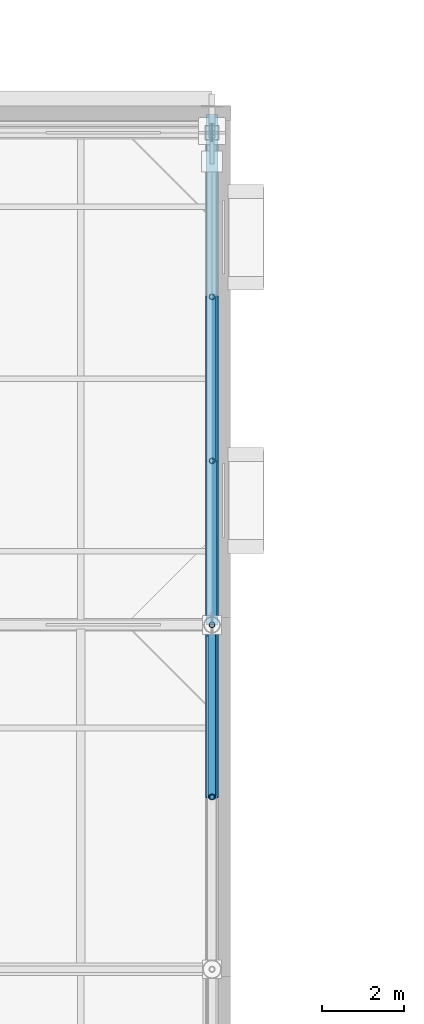
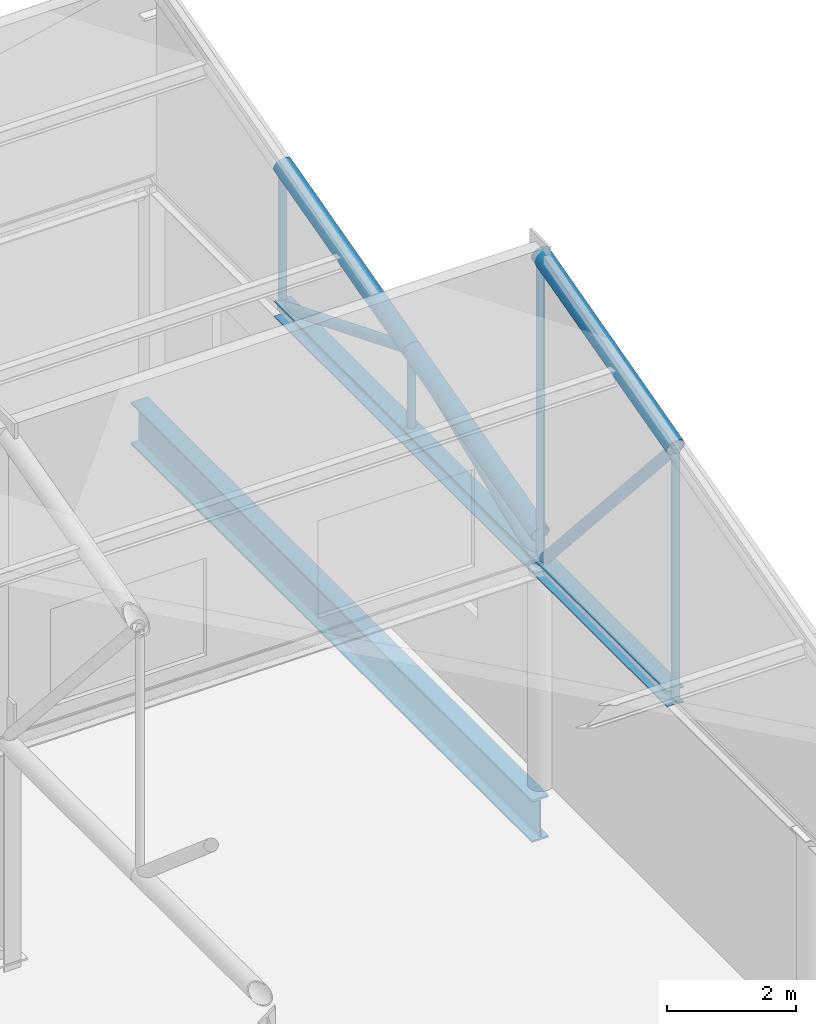
# One storey, part 56 of 89: 13 members, 1 beam.
"""IFC4 building model written with IfcOpenShell, lengths in metres."""

from ifc_helpers import new_model, si_unit, direction, frame, origin, origin_2d, place, context, subcontext, project, spatial, hollow_circle, i_section, extrude, material, material_profile, profile_set, type_object, element, save


model = new_model("IFC4")

# Units and contexts
model_context = context("Model", 3, precision=1e-05, world=origin(), true_north=direction((0.0, 1.0)))
body_context = subcontext(model_context, "Body", "Model", "MODEL_VIEW")
ifc_project = project(units=[si_unit("LENGTHUNIT", "METRE"), si_unit("AREAUNIT", "SQUARE_METRE"), si_unit("VOLUMEUNIT", "CUBIC_METRE"), si_unit("PLANEANGLEUNIT", "RADIAN"), si_unit("MASSUNIT", "GRAM", prefix="KILO")], contexts=[model_context])

# Site, building, storey
site_placement = place(None, origin())
site = spatial("IfcSite", under=ifc_project, at=site_placement, CompositionType="ELEMENT")
building_placement = place(site_placement, origin())
building = spatial("IfcBuilding", under=site, at=building_placement, Name="Zereglee Splitstone Museum", CompositionType="ELEMENT")
storey_placement = place(building_placement, frame((0.0, 0.0, 21.300048828125)))
storey = spatial("IfcBuildingStorey", under=building, at=storey_placement, Name="L04", CompositionType="ELEMENT", Elevation=21.300048828125)

# Members
ifc_material_1 = material(Name="Steel S355J2H", Category="steel")
ifc_material_profile_1 = material_profile(ifc_material_1, hollow_circle(Radius=0.096923828125, WallThickness=0.010009765625, at=origin_2d()), Name="CHS 193.7x10")
ifc_profile_set_1 = profile_set([ifc_material_profile_1], Name="Steel S355J2H")
member_type_1 = type_object("IfcMemberType", Name="TB-04", PredefinedType="BRACE", material=ifc_profile_set_1)
member_1_placement = place(storey_placement, frame((145.199951171875, 38.39990234375, 4.199951171875), z_axis=(0.0, -0.664351853733, 0.747419971932), x_axis=(1.0, 0.0, 0.0)))
element("IfcMember", 1, at=member_1_placement, inside=storey, type_object=member_type_1, Name="Roof Truss ST-08 Diagonal 2.4", PredefinedType="BRACE", context=body_context, shape_type="SweptSolid", body=[
    extrude(hollow_circle(Radius=0.096923828125, WallThickness=0.010009765625, at=origin_2d()), origin(), (0.0, 0.0, 1.0), 6.32177734375),
])
member_2_placement = place(storey_placement, frame((145.199951171875, 46.39990234375, 4.199951171875), z_axis=(0.0, -0.927136001435, 0.374725012299), x_axis=(1.0, 0.0, 0.0)))
element("IfcMember", 2, at=member_2_placement, inside=storey, type_object=member_type_1, Name="Roof Truss ST-08 Diagonal 3.2", PredefinedType="BRACE", context=body_context, shape_type="SweptSolid", body=[
    extrude(hollow_circle(Radius=0.096923828125, WallThickness=0.010009765625, at=origin_2d()), origin(), (0.0, 0.0, 1.0), 4.314453125),
])
ifc_material_profile_2 = material_profile(ifc_material_1, hollow_circle(Radius=0.109619140625, WallThickness=0.010009765625, at=origin_2d()), Name="CHS 219.1x10")
ifc_profile_set_2 = profile_set([ifc_material_profile_2], Name="Steel S355J2H")
member_type_2 = type_object("IfcMemberType", Name="TB-03", PredefinedType="BRACE", material=ifc_profile_set_2)
member_3_placement = place(storey_placement, frame((145.199951171875, 38.39990234375, 4.199951171875), z_axis=(0.0, 0.927136001435, 0.374725012299), x_axis=(-1.0, 0.0, 0.0)))
element("IfcMember", 3, at=member_3_placement, inside=storey, type_object=member_type_2, Name="Roof Truss ST-08 Diagonal 3.1", PredefinedType="BRACE", context=body_context, shape_type="SweptSolid", body=[
    extrude(hollow_circle(Radius=0.109619140625, WallThickness=0.010009765625, at=origin_2d()), origin(), (0.0, 0.0, 1.0), 4.314453125),
])
ifc_material_profile_3 = material_profile(ifc_material_1, hollow_circle(Radius=0.161865234375, WallThickness=0.01611328125, at=origin_2d()), Name="CHS 323.9x16")
ifc_profile_set_3 = profile_set([ifc_material_profile_3], Name="Steel S355J2H")
member_type_3 = type_object("IfcMemberType", Name="TC-05", PredefinedType="CHORD", material=ifc_profile_set_3)
member_4_placement = place(storey_placement, frame((145.199951171875, 34.199951171875, 8.925048828125), z_axis=(0.0, 0.965947299715, 0.258738891884), x_axis=(-1.0, 0.0, 0.0)))
element("IfcMember", 4, at=member_4_placement, inside=storey, type_object=member_type_3, Name="Roof Truss ST-08 Top Chord 2.4", PredefinedType="CHORD", context=body_context, shape_type="SweptSolid", body=[
    extrude(hollow_circle(Radius=0.161865234375, WallThickness=0.01611328125, at=origin_2d()), origin(), (0.0, 0.0, 1.0), 4.347900390625),
])
for number, where, z_axis, x_axis, name in (
    (5, (145.199951171875, 38.39990234375, 4.75), (0.0, 0.966235918422, 0.257658979955), (-1.0, 0.0, 0.0), "Roof Truss ST-08 Top Chord 3.1"),
    (6, (145.199951171875, 42.39990234375, 5.816650390625), (0.0, 0.966235918422, 0.257658979955), (-1.0, 0.0, 0.0), "Roof Truss ST-08 Top Chord 3.2"),
):
    element("IfcMember", number, at=place(storey_placement, frame(where, z_axis=z_axis, x_axis=x_axis)), inside=storey, type_object=member_type_3, Name=name, PredefinedType="CHORD", context=body_context, shape_type="SweptSolid", body=[
        extrude(hollow_circle(Radius=0.161865234375, WallThickness=0.01611328125, at=origin_2d()), origin(), (0.0, 0.0, 1.0), 4.139892578125),
    ])
ifc_material_2 = material(Name="Steel S355J2", Category="steel")
ifc_material_profile_4 = material_profile(ifc_material_2, i_section(OverallWidth=0.300048828125, OverallDepth=0.300048828125, WebThickness=0.010986328125, FlangeThickness=0.01904296875, FilletRadius=0.027099609375, at=origin_2d()), Name="HE 300 B")
ifc_profile_set_4 = profile_set([ifc_material_profile_4], Name="Steel S355J2")
member_type_4 = type_object("IfcMemberType", Name="TC-07", PredefinedType="CHORD", material=ifc_profile_set_4)
member_5_placement = place(storey_placement, frame((145.199951171875, 34.199951171875, 4.199951171875), z_axis=(0.0, 1.0, 0.0), x_axis=(-1.0, 0.0, 0.0)))
element("IfcMember", 7, at=member_5_placement, inside=storey, type_object=member_type_4, Name="Roof Truss ST-08 Bottom Chord 2.4", PredefinedType="CHORD", context=body_context, shape_type="SweptSolid", body=[
    extrude(i_section(OverallWidth=0.300048828125, OverallDepth=0.300048828125, WebThickness=0.010986328125, FlangeThickness=0.01904296875, FilletRadius=0.027099609375, at=origin_2d()), origin(), (0.0, 0.0, 1.0), 4.199951171875),
])
for number, where, z_axis, x_axis, name in (
    (8, (145.199951171875, 38.39990234375, 4.199951171875), (0.0, 1.0, 0.0), (-1.0, 0.0, 0.0), "Roof Truss ST-08 Bottom Chord 3.1"),
    (9, (145.199951171875, 42.39990234375, 4.199951171875), (0.0, 1.0, 0.0), (-1.0, 0.0, 0.0), "Roof Truss ST-08 Bottom Chord 3.2"),
):
    element("IfcMember", number, at=place(storey_placement, frame(where, z_axis=z_axis, x_axis=x_axis)), inside=storey, type_object=member_type_4, Name=name, PredefinedType="CHORD", context=body_context, shape_type="SweptSolid", body=[
        extrude(i_section(OverallWidth=0.300048828125, OverallDepth=0.300048828125, WebThickness=0.010986328125, FlangeThickness=0.01904296875, FilletRadius=0.027099609375, at=origin_2d()), origin(), (0.0, 0.0, 1.0), 4.0),
    ])

# Beam
ifc_material_profile_5 = material_profile(ifc_material_2, i_section(OverallWidth=0.300048828125, OverallDepth=0.800048828125, WebThickness=0.017578125, FlangeThickness=0.032958984375, FilletRadius=0.030029296875, at=origin_2d()), Name="HE 800 B")
ifc_profile_set_5 = profile_set([ifc_material_profile_5], Name="Steel S355J2")
beam_type = type_object("IfcBeamType", Name="BG-07", PredefinedType="BEAM", material=ifc_profile_set_5)
beam_placement = place(storey_placement, frame((145.199951171875, 38.39990234375, -0.66015625), z_axis=(0.0, 1.0, 0.0), x_axis=(-1.0, 0.0, 0.0)))
element("IfcBeam", 10, at=beam_placement, inside=storey, type_object=beam_type, Name="Primary Girder L04 17 (38.4-50.9)", PredefinedType="BEAM", context=body_context, shape_type="SweptSolid", body=[
    extrude(i_section(OverallWidth=0.300048828125, OverallDepth=0.800048828125, WebThickness=0.017578125, FlangeThickness=0.032958984375, FilletRadius=0.030029296875, at=origin_2d()), origin(), (0.0, 0.0, 1.0), 12.4501953125),
])

# Members
ifc_material_profile_6 = material_profile(ifc_material_1, hollow_circle(Radius=0.06982421875, WallThickness=0.008056640625, at=origin_2d()), Name="CHS 139.7x8")
ifc_profile_set_6 = profile_set([ifc_material_profile_6], Name="Steel S355J2H")
member_type_5 = type_object("IfcMemberType", Name="TP-03", PredefinedType="POST", material=ifc_profile_set_6)
member_6_placement = place(storey_placement, frame((145.199951171875, 34.199951171875, 4.199951171875), z_axis=(0.0, 0.0, 1.0), x_axis=(1.0, 0.0, 0.0)))
element("IfcMember", 11, at=member_6_placement, inside=storey, type_object=member_type_5, Name="Roof Truss ST-08 Post 2.3", PredefinedType="POST", context=body_context, shape_type="SweptSolid", body=[
    extrude(hollow_circle(Radius=0.06982421875, WallThickness=0.008056640625, at=origin_2d()), origin(), (0.0, 0.0, 1.0), 4.72509765625),
])
member_7_placement = place(storey_placement, frame((145.199951171875, 38.39990234375, 4.199951171875), z_axis=(0.0, 0.0, 1.0), x_axis=(1.0, 0.0, 0.0)))
element("IfcMember", 12, at=member_7_placement, inside=storey, type_object=member_type_5, Name="Roof Truss ST-08 Post 2.4", PredefinedType="POST", context=body_context, shape_type="SweptSolid", body=[
    extrude(hollow_circle(Radius=0.06982421875, WallThickness=0.008056640625, at=origin_2d()), origin(), (0.0, 0.0, 1.0), 5.85009765625),
])
member_8_placement = place(storey_placement, frame((145.199951171875, 42.39990234375, 4.199951171875), z_axis=(0.0, 0.0, 1.0), x_axis=(1.0, 0.0, 0.0)))
element("IfcMember", 13, at=member_8_placement, inside=storey, type_object=member_type_5, Name="Roof Truss ST-08 Post 3.1", PredefinedType="POST", context=body_context, shape_type="SweptSolid", body=[
    extrude(hollow_circle(Radius=0.06982421875, WallThickness=0.008056640625, at=origin_2d()), origin(), (0.0, 0.0, 1.0), 1.61669921875),
])
member_9_placement = place(storey_placement, frame((145.199951171875, 46.39990234375, 4.199951171875), z_axis=(0.0, 0.0, 1.0), x_axis=(1.0, 0.0, 0.0)))
element("IfcMember", 14, at=member_9_placement, inside=storey, type_object=member_type_5, Name="Roof Truss ST-08 Post 3.2", PredefinedType="POST", context=body_context, shape_type="SweptSolid", body=[
    extrude(hollow_circle(Radius=0.06982421875, WallThickness=0.008056640625, at=origin_2d()), origin(), (0.0, 0.0, 1.0), 2.683349609375),
])

save(model, "model.ifc")
